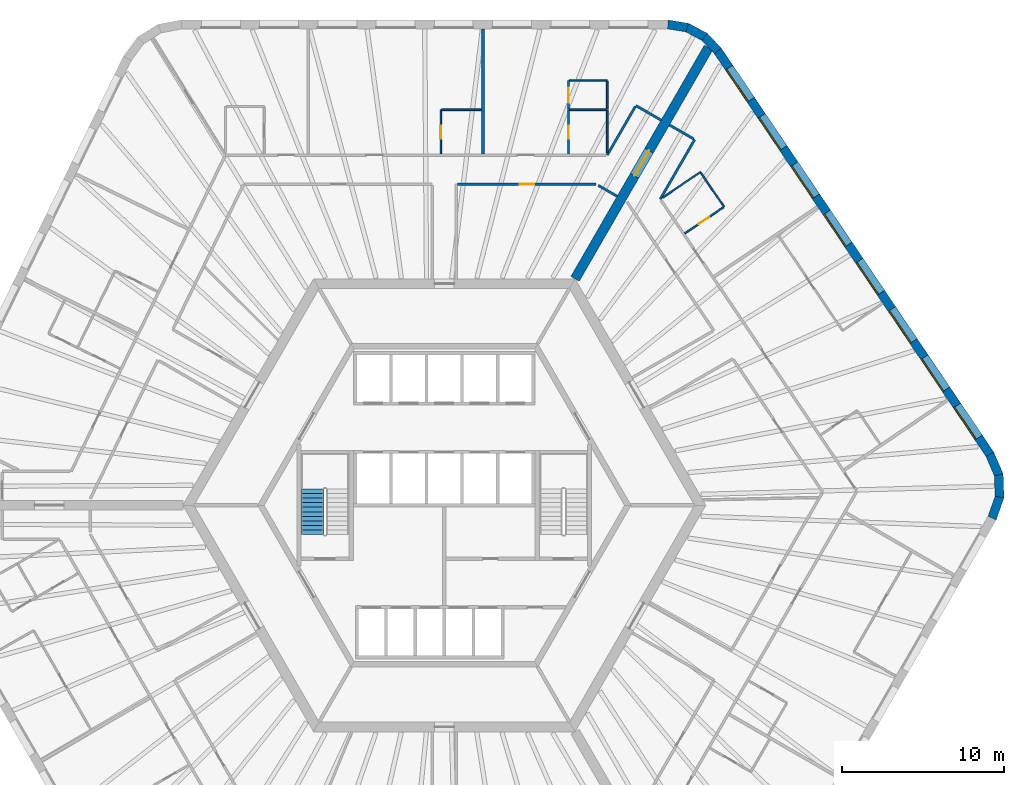
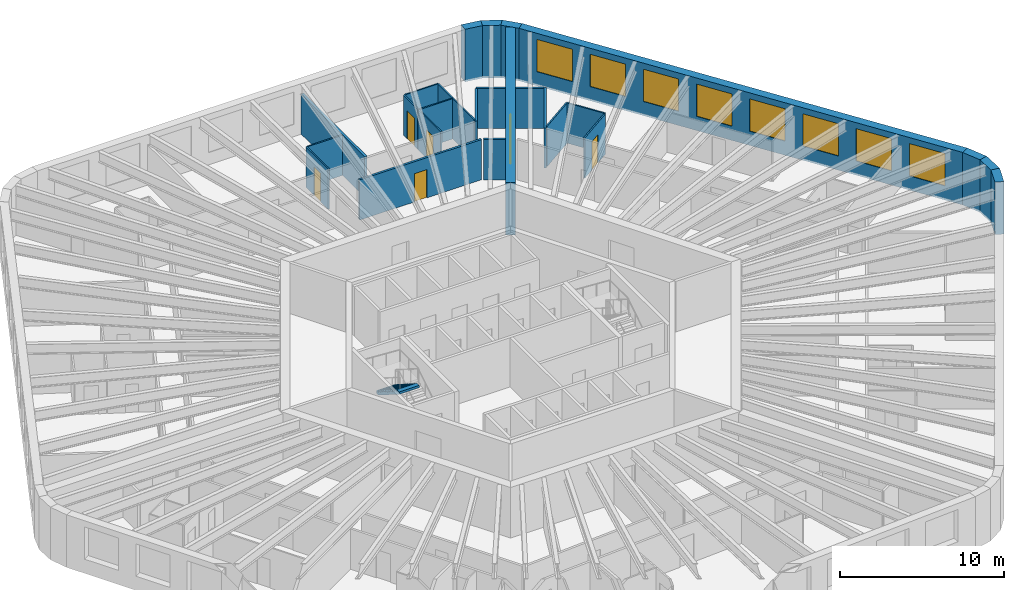
# One storey, part 10 of 12: 26 walls, 8 windows, 6 doors, 1 stair flight, 14 openings, 1 element without a shape of its own.
"""IFC4 building model written with IfcOpenShell, lengths in metres."""

from ifc_helpers import new_model, si_unit, direction, frame, frame_2d, origin, place, context, subcontext, project, spatial, polyline, rectangle, outline, extrude, material, layer, layer_set, type_object, element, fill, aggregate, save


model = new_model("IFC4")

# Units and contexts
model_context = context("Model", 3, precision=1e-05, world=origin(), true_north=direction((0.0, 1.0)))
body_context = subcontext(model_context, "Body", "Model", "MODEL_VIEW")
ifc_project = project(units=[si_unit("LENGTHUNIT", "METRE"), si_unit("AREAUNIT", "SQUARE_METRE"), si_unit("VOLUMEUNIT", "CUBIC_METRE"), si_unit("PLANEANGLEUNIT", "RADIAN"), si_unit("MASSUNIT", "GRAM", prefix="KILO")], contexts=[model_context])

# Site, building, storey
site_placement = place(None, origin())
site = spatial("IfcSite", under=ifc_project, at=site_placement, CompositionType="ELEMENT")
building_placement = place(site_placement, origin())
building = spatial("IfcBuilding", under=site, at=building_placement, Name="Tarnside Tower", CompositionType="ELEMENT")
storey_placement = place(building_placement, frame((0.0, 0.0, 84.300048828125)))
storey = spatial("IfcBuildingStorey", under=building, at=storey_placement, Name="L18", CompositionType="ELEMENT", Elevation=84.300048828125)

# Wall, opening, door
ifc_material_1 = material(Name="Gypsum board partition on steel studs", Category="steel")
ifc_layer_1 = layer(ifc_material_1, 0.10009765625)
ifc_layer_set_1 = layer_set([ifc_layer_1], Name="Bathroom wall 100")
wall_type_1 = type_object("IfcWallType", Name="Bathroom wall 100", PredefinedType="PARTITIONING", material=ifc_layer_set_1)
wall_1_placement = place(storey_placement, frame((7.6748046875, 21.72509765625, 0.0), z_axis=(0.0, 0.0, 1.0), x_axis=(0.0, 1.0, 0.0)))
wall_1 = element("IfcWall", 1, at=wall_1_placement, inside=storey, type_object=wall_type_1, Name="Bathroom wall 05079", PredefinedType="PARTITIONING", context=body_context, shape_type="SweptSolid", body=[
    extrude(rectangle(XDim=2.724853515625, YDim=0.10009765625, at=frame_2d((1.3623046875, 0.0))), origin(), (0.0, 0.0, 1.0), 2.98779296875),
])
opening_1_placement = place(wall_1_placement, frame((0.925048828125, 0.0, 0.0)))
opening_1 = element("IfcOpeningElement", 2, at=opening_1_placement, cuts=wall_1, Name="Opening D-B1", PredefinedType="OPENING", context=body_context, shape_type="SweptSolid", body=[
    extrude(rectangle(XDim=0.800048828125, YDim=2.10009765625, at=frame_2d((0.39990234375, 1.050048828125))), frame((0.0, 0.06005859375, 0.0), z_axis=(0.0, -1.0, 0.0), x_axis=(1.0, 0.0, 0.0)), (0.0, 0.0, 1.0), 0.1201171875),
])
ifc_material_2 = material(Name="Timber door leaf", Category="wood")
door_type_1 = type_object("IfcDoorType", Name="Bathroom door 800", OperationType="NOTDEFINED", PredefinedType="DOOR", material=ifc_material_2)
door_1_placement = place(opening_1_placement, origin())
door_1 = element("IfcDoor", 3, at=door_1_placement, inside=storey, type_object=door_type_1, Name="Bathroom door 05002", OperationType="SINGLE_SWING_RIGHT", OverallHeight=2.10009765625, OverallWidth=0.800048828125, PredefinedType="DOOR", context=body_context, shape_type="SweptSolid", body=[
    extrude(rectangle(XDim=0.800048828125, YDim=2.10009765625, at=frame_2d((0.39990234375, 1.050048828125))), frame((0.0, 0.02490234375, 0.0), z_axis=(0.0, -1.0, 0.0), x_axis=(1.0, 0.0, 0.0)), (0.0, 0.0, 1.0), 0.050048828125),
])
fill(opening_1, door_1)

# Walls
wall_2_placement = place(storey_placement, frame((10.07470703125, 24.449951171875, 0.0), z_axis=(0.0, 0.0, 1.0), x_axis=(0.0, -1.0, 0.0)))
element("IfcWall", 4, at=wall_2_placement, inside=storey, type_object=wall_type_1, Name="Bathroom wall 05080", PredefinedType="PARTITIONING", context=body_context, shape_type="SweptSolid", body=[
    extrude(rectangle(XDim=2.64990234375, YDim=0.10009765625, at=frame_2d((1.324951171875, 0.0))), origin(), (0.0, 0.0, 1.0), 2.98779296875),
])
wall_3_placement = place(storey_placement, frame((10.024658203125, 24.449951171875, 0.0), z_axis=(0.0, 0.0, 1.0), x_axis=(-1.0, 0.0, 0.0)))
element("IfcWall", 5, at=wall_3_placement, inside=storey, type_object=wall_type_1, Name="Bathroom wall 05086", PredefinedType="PARTITIONING", context=body_context, shape_type="SweptSolid", body=[
    extrude(rectangle(XDim=2.2998046875, YDim=0.10009765625, at=frame_2d((1.14990234375, 0.0))), origin(), (0.0, 0.0, 1.0), 2.98779296875),
])

# Wall, opening, door
wall_4_placement = place(storey_placement, frame((-0.2109375, 21.72509765625, 0.0), z_axis=(0.0, 0.0, 1.0), x_axis=(0.0, 1.0, 0.0)))
wall_4 = element("IfcWall", 6, at=wall_4_placement, inside=storey, type_object=wall_type_1, Name="Bathroom wall 05087", PredefinedType="PARTITIONING", context=body_context, shape_type="SweptSolid", body=[
    extrude(rectangle(XDim=2.724853515625, YDim=0.10009765625, at=frame_2d((1.3623046875, 0.0))), origin(), (0.0, 0.0, 1.0), 2.98779296875),
])
opening_2_placement = place(wall_4_placement, frame((0.925048828125, 0.0, 0.0)))
opening_2 = element("IfcOpeningElement", 7, at=opening_2_placement, cuts=wall_4, Name="Opening D-B1", PredefinedType="OPENING", context=body_context, shape_type="SweptSolid", body=[
    extrude(rectangle(XDim=0.800048828125, YDim=2.10009765625, at=frame_2d((0.39990234375, 1.050048828125))), frame((0.0, 0.06005859375, 0.0), z_axis=(0.0, -1.0, 0.0), x_axis=(1.0, 0.0, 0.0)), (0.0, 0.0, 1.0), 0.1201171875),
])
door_2_placement = place(opening_2_placement, origin())
door_2 = element("IfcDoor", 8, at=door_2_placement, inside=storey, type_object=door_type_1, Name="Bathroom door 05005", OperationType="SINGLE_SWING_RIGHT", OverallHeight=2.10009765625, OverallWidth=0.800048828125, PredefinedType="DOOR", context=body_context, shape_type="SweptSolid", body=[
    extrude(rectangle(XDim=0.800048828125, YDim=2.10009765625, at=frame_2d((0.39990234375, 1.050048828125))), frame((0.0, 0.02490234375, 0.0), z_axis=(0.0, -1.0, 0.0), x_axis=(1.0, 0.0, 0.0)), (0.0, 0.0, 1.0), 0.050048828125),
])
fill(opening_2, door_2)

# Walls
wall_5_placement = place(storey_placement, frame((-0.1611328125, 24.449951171875, 0.0), z_axis=(0.0, 0.0, 1.0), x_axis=(1.0, 0.0, 0.0)))
element("IfcWall", 9, at=wall_5_placement, inside=storey, type_object=wall_type_1, Name="Bathroom wall 05088", PredefinedType="PARTITIONING", context=body_context, shape_type="SweptSolid", body=[
    extrude(rectangle(XDim=2.4599609375, YDim=0.10009765625, at=frame_2d((1.22998046875, 0.0))), origin(), (0.0, 0.0, 1.0), 2.98779296875),
])
wall_6_placement = place(storey_placement, frame((13.4921875, 19.019287109375, 0.0), z_axis=(0.0, 0.0, 1.0), x_axis=(0.829037705426, 0.559192706481, 0.0)))
element("IfcWall", 10, at=wall_6_placement, inside=storey, type_object=wall_type_1, Name="Bathroom wall 05156", PredefinedType="PARTITIONING", context=body_context, shape_type="SweptSolid", body=[
    extrude(rectangle(XDim=2.8291015625, YDim=0.10009765625, at=frame_2d((1.41455078125, 0.0))), origin(), (0.0, 0.0, 1.0), 2.98779296875),
])
wall_7_placement = place(storey_placement, frame((15.865478515625, 20.559814453125, 0.0), z_axis=(0.0, 0.0, 1.0), x_axis=(0.559221247909, -0.829018453285, 0.0)))
element("IfcWall", 11, at=wall_7_placement, inside=storey, type_object=wall_type_1, Name="Bathroom wall 05157", PredefinedType="PARTITIONING", context=body_context, shape_type="SweptSolid", body=[
    extrude(rectangle(XDim=2.550048828125, YDim=0.10009765625, at=frame_2d((1.27490234375, 0.0))), origin(), (0.0, 0.0, 1.0), 2.98779296875),
])

# Wall, opening, door
wall_8_placement = place(storey_placement, frame((17.25, 18.417724609375, 0.0), z_axis=(0.0, 0.0, 1.0), x_axis=(-0.82904649496, -0.559179675234, 0.0)))
wall_8 = element("IfcWall", 12, at=wall_8_placement, inside=storey, type_object=wall_type_1, Name="Bathroom wall 05158", PredefinedType="PARTITIONING", context=body_context, shape_type="SweptSolid", body=[
    extrude(rectangle(XDim=2.875, YDim=0.10009765625, at=frame_2d((1.4375, 0.0))), origin(), (0.0, 0.0, 1.0), 2.98779296875),
])
opening_3_placement = place(wall_8_placement, frame((1.050048828125, 0.0, 0.0)))
opening_3 = element("IfcOpeningElement", 13, at=opening_3_placement, cuts=wall_8, Name="Opening D-B1", PredefinedType="OPENING", context=body_context, shape_type="SweptSolid", body=[
    extrude(rectangle(XDim=0.800048828125, YDim=2.10009765625, at=frame_2d((0.39990234375, 1.050048828125))), frame((0.0, 0.06005859375, 0.0), z_axis=(0.0, -1.0, 0.0), x_axis=(1.0, 0.0, 0.0)), (0.0, 0.0, 1.0), 0.1201171875),
])
door_3_placement = place(opening_3_placement, origin())
door_3 = element("IfcDoor", 14, at=door_3_placement, inside=storey, type_object=door_type_1, Name="Bathroom door 05040", OperationType="SINGLE_SWING_LEFT", OverallHeight=2.10009765625, OverallWidth=0.800048828125, PredefinedType="DOOR", context=body_context, shape_type="SweptSolid", body=[
    extrude(rectangle(XDim=0.800048828125, YDim=2.10009765625, at=frame_2d((0.39990234375, 1.050048828125))), frame((0.0, 0.02490234375, 0.0), z_axis=(0.0, -1.0, 0.0), x_axis=(1.0, 0.0, 0.0)), (0.0, 0.0, 1.0), 0.050048828125),
])
fill(opening_3, door_3)

ifc_material_3 = material(Name="Concrete C80/95", Category="concrete")
ifc_layer_2 = layer(ifc_material_3, 0.60009765625)
ifc_layer_set_2 = layer_set([ifc_layer_2], Name="Core wall Z1 600 C80/95")
wall_type_2 = type_object("IfcWallType", Name="Core wall Z1 600 C80/95", PredefinedType="SHEAR", material=ifc_layer_set_2)
wall_9_placement = place(storey_placement, frame((8.0830078125, 14.0, -0.150146484375), z_axis=(0.0, 0.0, 1.0), x_axis=(0.499997680643, 0.866026742862, 0.0)))
wall_9 = element("IfcWall", 15, at=wall_9_placement, inside=storey, type_object=wall_type_2, Name="L18 spine wall 1", PredefinedType="SHEAR", context=body_context, shape_type="SweptSolid", body=[
    extrude(rectangle(XDim=16.5087890625, YDim=0.60009765625, at=frame_2d((8.25439453125, 0.0))), origin(), (0.0, 0.0, 1.0), 3.900146484375),
])
opening_4_placement = place(wall_9_placement, frame((7.3544921875, 0.0, 0.14990234375)))
opening_4 = element("IfcOpeningElement", 16, at=opening_4_placement, cuts=wall_9, Name="Opening CD-SPN", PredefinedType="OPENING", context=body_context, shape_type="SweptSolid", body=[
    extrude(rectangle(XDim=1.800048828125, YDim=2.39990234375, at=frame_2d((0.89990234375, 1.199951171875))), frame((0.0, 0.31005859375, 0.0), z_axis=(0.0, -1.0, 0.0), x_axis=(1.0, 0.0, 0.0)), (0.0, 0.0, 1.0), 0.6201171875),
])
ifc_material_4 = material(Name="Steel fire door", Category="steel")
door_type_2 = type_object("IfcDoorType", Name="Spine passage double door FD60 1800x2400", OperationType="NOTDEFINED", PredefinedType="DOOR", material=ifc_material_4)
door_4_placement = place(opening_4_placement, origin())
door_4 = element("IfcDoor", 17, at=door_4_placement, inside=storey, type_object=door_type_2, Name="L18 spine passage door 1", OperationType="DOUBLE_DOOR_SINGLE_SWING", OverallHeight=2.39990234375, OverallWidth=1.800048828125, PredefinedType="DOOR", context=body_context, shape_type="SweptSolid", body=[
    extrude(rectangle(XDim=1.800048828125, YDim=2.39990234375, at=frame_2d((0.89990234375, 1.199951171875))), frame((0.0, 0.02490234375, 0.0), z_axis=(0.0, -1.0, 0.0), x_axis=(1.0, 0.0, 0.0)), (0.0, 0.0, 1.0), 0.050048828125),
])
fill(opening_4, door_4)

# Walls
ifc_layer_3 = layer(ifc_material_1, 0.14990234375)
ifc_layer_set_3 = layer_set([ifc_layer_3], Name="Corridor wall 150 EI 60")
wall_type_3 = type_object("IfcWallType", Name="Corridor wall 150 EI 60", PredefinedType="PARTITIONING", material=ifc_layer_set_3)
wall_10_placement = place(storey_placement, frame((13.400390625, 23.81005859375, 0.0), z_axis=(0.0, 0.0, 1.0), x_axis=(-0.865989075817, 0.500062916607, 0.0)))
element("IfcWall", 18, at=wall_10_placement, inside=storey, type_object=wall_type_3, Name="Corridor wall 05002", PredefinedType="PARTITIONING", context=body_context, shape_type="SweptSolid", body=[
    extrude(rectangle(XDim=1.800048828125, YDim=0.14990234375, at=frame_2d((0.89990234375, 0.0))), origin(), (0.0, 0.0, 1.0), 2.98779296875),
])
wall_11_placement = place(storey_placement, frame((11.803955078125, 24.64501953125, 0.0), z_axis=(0.0, 0.0, 1.0), x_axis=(-0.500003541824, -0.866023358902, 0.0)))
element("IfcWall", 19, at=wall_11_placement, inside=storey, type_object=wall_type_3, Name="Corridor wall 05003", PredefinedType="PARTITIONING", context=body_context, shape_type="SweptSolid", body=[
    extrude(rectangle(XDim=3.45849609375, YDim=0.14990234375, at=frame_2d((1.729248046875, 0.0))), origin(), (0.0, 0.0, 1.0), 2.98779296875),
])

# Wall, opening, door
wall_12_placement = place(storey_placement, frame((0.824951171875, 19.85009765625, 0.0), z_axis=(0.0, 0.0, 1.0), x_axis=(1.0, 0.0, 0.0)))
wall_12 = element("IfcWall", 20, at=wall_12_placement, inside=storey, type_object=wall_type_3, Name="Corridor wall 05023", PredefinedType="PARTITIONING", context=body_context, shape_type="SweptSolid", body=[
    extrude(rectangle(XDim=8.564208984375, YDim=0.14990234375, at=frame_2d((4.2822265625, 0.0))), origin(), (0.0, 0.0, 1.0), 2.98779296875),
])
opening_5_placement = place(wall_12_placement, frame((3.83203125, 0.0, 0.0)))
opening_5 = element("IfcOpeningElement", 21, at=opening_5_placement, cuts=wall_12, Name="Opening D-S1", PredefinedType="OPENING", context=body_context, shape_type="SweptSolid", body=[
    extrude(rectangle(XDim=0.89990234375, YDim=2.10009765625, at=frame_2d((0.449951171875, 1.050048828125))), frame((0.0, 0.0849609375, 0.0), z_axis=(0.0, -1.0, 0.0), x_axis=(1.0, 0.0, 0.0)), (0.0, 0.0, 1.0), 0.169921875),
])
door_type_3 = type_object("IfcDoorType", Name="Service room door 900 FD30S", OperationType="NOTDEFINED", PredefinedType="DOOR", material=ifc_material_2)
door_5_placement = place(opening_5_placement, origin())
door_5 = element("IfcDoor", 22, at=door_5_placement, inside=storey, type_object=door_type_3, Name="Service door 05043", OperationType="SINGLE_SWING_RIGHT", OverallHeight=2.10009765625, OverallWidth=0.89990234375, PredefinedType="DOOR", context=body_context, shape_type="SweptSolid", body=[
    extrude(rectangle(XDim=0.89990234375, YDim=2.10009765625, at=frame_2d((0.449951171875, 1.050048828125))), frame((0.0, 0.02490234375, 0.0), z_axis=(0.0, -1.0, 0.0), x_axis=(1.0, 0.0, 0.0)), (0.0, 0.0, 1.0), 0.050048828125),
])
fill(opening_5, door_5)

# Walls
wall_13_placement = place(storey_placement, frame((9.51904296875, 19.77490234375, 0.0), z_axis=(0.0, 0.0, 1.0), x_axis=(0.866043397086, -0.499968833392, 0.0)))
element("IfcWall", 23, at=wall_13_placement, inside=storey, type_object=wall_type_3, Name="Corridor wall 05024", PredefinedType="PARTITIONING", context=body_context, shape_type="SweptSolid", body=[
    extrude(rectangle(XDim=1.34375, YDim=0.14990234375, at=frame_2d((0.671875, 0.0))), origin(), (0.0, 0.0, 1.0), 2.98779296875),
])
wall_14_placement = place(storey_placement, frame((13.350341796875, 18.923583984375, 0.0), z_axis=(0.0, 0.0, 1.0), x_axis=(0.500000470374, 0.866025132214, 0.0)))
element("IfcWall", 24, at=wall_14_placement, inside=storey, type_object=wall_type_3, Name="Corridor wall 05065", PredefinedType="PARTITIONING", context=body_context, shape_type="SweptSolid", body=[
    extrude(rectangle(XDim=4.2568359375, YDim=0.14990234375, at=frame_2d((2.12841796875, 0.0))), origin(), (0.0, 0.0, 1.0), 2.98779296875),
])
wall_15_placement = place(storey_placement, frame((15.413818359375, 22.647705078125, 0.0), z_axis=(0.0, 0.0, 1.0), x_axis=(-0.866074815912, 0.499914405916, 0.0)))
element("IfcWall", 25, at=wall_15_placement, inside=storey, type_object=wall_type_3, Name="Corridor wall 05066", PredefinedType="PARTITIONING", context=body_context, shape_type="SweptSolid", body=[
    extrude(rectangle(XDim=1.724853515625, YDim=0.14990234375, at=frame_2d((0.8623046875, 0.0))), origin(), (0.0, 0.0, 1.0), 2.98779296875),
])
ifc_layer_4 = layer(ifc_material_1, 0.179931640625)
ifc_layer_set_4 = layer_set([ifc_layer_4], Name="Demising wall 180 EI 60")
wall_type_4 = type_object("IfcWallType", Name="Demising wall 180 EI 60", PredefinedType="PARTITIONING", material=ifc_layer_set_4)
wall_16_placement = place(storey_placement, frame((2.388916015625, 29.449951171875, 0.0), z_axis=(0.0, 0.0, 1.0), x_axis=(0.0, -1.0, 0.0)))
element("IfcWall", 26, at=wall_16_placement, inside=storey, type_object=wall_type_4, Name="Demising wall 05084", PredefinedType="PARTITIONING", context=body_context, shape_type="SweptSolid", body=[
    extrude(rectangle(XDim=7.724853515625, YDim=0.179931640625, at=frame_2d((3.8623046875, 0.0))), origin(), (0.0, 0.0, 1.0), 2.98779296875),
])

# Wall, opening, door
ifc_layer_5 = layer(ifc_material_1, 0.10009765625)
ifc_layer_set_5 = layer_set([ifc_layer_5], Name="Partition 100")
wall_type_5 = type_object("IfcWallType", Name="Partition 100", PredefinedType="PARTITIONING", material=ifc_layer_set_5)
wall_17_placement = place(storey_placement, frame((7.6748046875, 24.5, 0.0), z_axis=(0.0, 0.0, 1.0), x_axis=(0.0, 1.0, 0.0)))
wall_17 = element("IfcWall", 27, at=wall_17_placement, inside=storey, type_object=wall_type_5, Name="Partition wall 05081", PredefinedType="PARTITIONING", context=body_context, shape_type="SweptSolid", body=[
    extrude(rectangle(XDim=1.75, YDim=0.10009765625, at=frame_2d((0.875, 0.0))), origin(), (0.0, 0.0, 1.0), 2.98779296875),
])
opening_6_placement = place(wall_17_placement, frame((0.39990234375, 0.0, 0.0)))
opening_6 = element("IfcOpeningElement", 28, at=opening_6_placement, cuts=wall_17, Name="Opening D-I1", PredefinedType="OPENING", context=body_context, shape_type="SweptSolid", body=[
    extrude(rectangle(XDim=0.89990234375, YDim=2.10009765625, at=frame_2d((0.449951171875, 1.050048828125))), frame((0.0, 0.06005859375, 0.0), z_axis=(0.0, -1.0, 0.0), x_axis=(1.0, 0.0, 0.0)), (0.0, 0.0, 1.0), 0.1201171875),
])
door_type_4 = type_object("IfcDoorType", Name="Internal door 900", OperationType="NOTDEFINED", PredefinedType="DOOR", material=ifc_material_2)
door_6_placement = place(opening_6_placement, origin())
door_6 = element("IfcDoor", 29, at=door_6_placement, inside=storey, type_object=door_type_4, Name="Internal door 05003", OperationType="SINGLE_SWING_RIGHT", OverallHeight=2.10009765625, OverallWidth=0.89990234375, PredefinedType="DOOR", context=body_context, shape_type="SweptSolid", body=[
    extrude(rectangle(XDim=0.89990234375, YDim=2.10009765625, at=frame_2d((0.449951171875, 1.050048828125))), frame((0.0, 0.02490234375, 0.0), z_axis=(0.0, -1.0, 0.0), x_axis=(1.0, 0.0, 0.0)), (0.0, 0.0, 1.0), 0.050048828125),
])
fill(opening_6, door_6)

# Walls
wall_18_placement = place(storey_placement, frame((7.724853515625, 26.25, 0.0), z_axis=(0.0, 0.0, 1.0), x_axis=(1.0, 0.0, 0.0)))
element("IfcWall", 30, at=wall_18_placement, inside=storey, type_object=wall_type_5, Name="Partition wall 05082", PredefinedType="PARTITIONING", context=body_context, shape_type="SweptSolid", body=[
    extrude(rectangle(XDim=2.349853515625, YDim=0.10009765625, at=frame_2d((1.1748046875, 0.0))), origin(), (0.0, 0.0, 1.0), 2.98779296875),
])
wall_19_placement = place(storey_placement, frame((10.07470703125, 26.199951171875, 0.0), z_axis=(0.0, 0.0, 1.0), x_axis=(0.0, -1.0, 0.0)))
element("IfcWall", 31, at=wall_19_placement, inside=storey, type_object=wall_type_5, Name="Partition wall 05083", PredefinedType="PARTITIONING", context=body_context, shape_type="SweptSolid", body=[
    extrude(rectangle(XDim=1.699951171875, YDim=0.10009765625, at=frame_2d((0.85009765625, 0.0))), origin(), (0.0, 0.0, 1.0), 2.98779296875),
])
ifc_material_5 = material(Name="Facing brick", Category="masonry")
ifc_layer_6 = layer(ifc_material_5, 0.10205078125)
ifc_material_6 = material(Name="Concrete C60/75 precast", Category="concrete")
ifc_layer_7 = layer(ifc_material_6, 0.347900390625)
ifc_material_7 = material(Name="Mineral wool insulation")
ifc_layer_8 = layer(ifc_material_7, 0.10009765625)
ifc_layer_set_6 = layer_set([ifc_layer_6, ifc_layer_7, ifc_layer_8], Name="Tube wall 550 brick faced")
wall_type_6 = type_object("IfcWallType", Name="Tube wall 550 brick faced", PredefinedType="SOLIDWALL", material=ifc_layer_set_6)
wall_20_placement = place(storey_placement, frame((33.865966796875, -0.79248046875, -0.150146484375), z_axis=(0.0, 0.0, 1.0), x_axis=(0.33111537203, 0.943590276765, 0.0)))
element("IfcWall", 32, at=wall_20_placement, inside=storey, type_object=wall_type_6, Name="Tube wall L18 F5 chord 17", PredefinedType="SOLIDWALL", context=body_context, shape_type="SweptSolid", body=[
    extrude(outline(polyline([(-0.025634765625, -0.27490234375), (1.4306640625, -0.27490234375), (1.3271484375, 0.27490234375), (0.025634765625, 0.27490234375), (-0.025634765625, -0.27490234375)])), origin(), (0.0, 0.0, 1.0), 3.900146484375),
])
wall_21_placement = place(storey_placement, frame((34.322509765625, 0.508544921875, -0.150146484375), z_axis=(0.0, 0.0, 1.0), x_axis=(-0.034876908462, 0.999391615562, 0.0)))
element("IfcWall", 33, at=wall_21_placement, inside=storey, type_object=wall_type_6, Name="Tube wall L18 F5 chord 18", PredefinedType="SOLIDWALL", context=body_context, shape_type="SweptSolid", body=[
    extrude(outline(polyline([(-0.0517578125, -0.27490234375), (1.4306640625, -0.27490234375), (1.3271484375, 0.27490234375), (0.0517578125, 0.27490234375), (-0.0517578125, -0.27490234375)])), origin(), (0.0, 0.0, 1.0), 3.900146484375),
])
wall_22_placement = place(storey_placement, frame((34.2744140625, 1.88671875, -0.150146484375), z_axis=(0.0, 0.0, 1.0), x_axis=(-0.396161342798, 0.918180913803, 0.0)))
element("IfcWall", 34, at=wall_22_placement, inside=storey, type_object=wall_type_6, Name="Tube wall L18 F5 chord 19", PredefinedType="SOLIDWALL", context=body_context, shape_type="SweptSolid", body=[
    extrude(outline(polyline([(-0.0517578125, -0.27490234375), (1.40478515625, -0.27490234375), (1.353515625, 0.27490234375), (0.0517578125, 0.27490234375), (-0.0517578125, -0.27490234375)])), origin(), (0.0, 0.0, 1.0), 3.900146484375),
])

# Wall, openings, windows
wall_23_placement = place(storey_placement, frame((33.72802734375, 3.153076171875, -0.150146484375), z_axis=(0.0, 0.0, 1.0), x_axis=(-0.559192411416, 0.82903790445, 0.0)))
wall_23 = element("IfcWall", 35, at=wall_23_placement, inside=storey, type_object=wall_type_6, Name="Tube wall L18 F6 flush 20", PredefinedType="SOLIDWALL", context=body_context, shape_type="SweptSolid", body=[
    extrude(outline(polyline([(-0.025634765625, -0.27490234375), (30.09326171875, -0.27490234375), (30.04833984375, 0.27490234375), (0.025634765625, 0.27490234375), (-0.025634765625, -0.27490234375)])), origin(), (0.0, 0.0, 1.0), 3.900146484375),
])
opening_7_placement = place(wall_23_placement, frame((1.235595703125, 0.0, 1.050048828125)))
opening_7 = element("IfcOpeningElement", 36, at=opening_7_placement, cuts=wall_23, Name="Opening WH", PredefinedType="OPENING", context=body_context, shape_type="SweptSolid", body=[
    extrude(rectangle(XDim=2.39990234375, YDim=2.39990234375, at=frame_2d((1.199951171875, 1.199951171875))), frame((0.0, 0.28515625, 0.0), z_axis=(0.0, -1.0, 0.0), x_axis=(1.0, 0.0, 0.0)), (0.0, 0.0, 1.0), 0.570068359375),
])
opening_8_placement = place(wall_23_placement, frame((4.83544921875, 0.0, 1.050048828125)))
opening_8 = element("IfcOpeningElement", 37, at=opening_8_placement, cuts=wall_23, Name="Opening WH", PredefinedType="OPENING", context=body_context, shape_type="SweptSolid", body=[
    extrude(rectangle(XDim=2.39990234375, YDim=2.39990234375, at=frame_2d((1.199951171875, 1.199951171875))), frame((0.0, 0.28515625, 0.0), z_axis=(0.0, -1.0, 0.0), x_axis=(1.0, 0.0, 0.0)), (0.0, 0.0, 1.0), 0.570068359375),
])
opening_9_placement = place(wall_23_placement, frame((8.435546875, 0.0, 1.050048828125)))
opening_9 = element("IfcOpeningElement", 38, at=opening_9_placement, cuts=wall_23, Name="Opening WH", PredefinedType="OPENING", context=body_context, shape_type="SweptSolid", body=[
    extrude(rectangle(XDim=2.39990234375, YDim=2.39990234375, at=frame_2d((1.199951171875, 1.199951171875))), frame((0.0, 0.28515625, 0.0), z_axis=(0.0, -1.0, 0.0), x_axis=(1.0, 0.0, 0.0)), (0.0, 0.0, 1.0), 0.570068359375),
])
opening_10_placement = place(wall_23_placement, frame((12.035400390625, 0.0, 1.050048828125)))
opening_10 = element("IfcOpeningElement", 39, at=opening_10_placement, cuts=wall_23, Name="Opening WH", PredefinedType="OPENING", context=body_context, shape_type="SweptSolid", body=[
    extrude(rectangle(XDim=2.39990234375, YDim=2.39990234375, at=frame_2d((1.199951171875, 1.199951171875))), frame((0.0, 0.28515625, 0.0), z_axis=(0.0, -1.0, 0.0), x_axis=(1.0, 0.0, 0.0)), (0.0, 0.0, 1.0), 0.570068359375),
])
opening_11_placement = place(wall_23_placement, frame((15.635498046875, 0.0, 1.050048828125)))
opening_11 = element("IfcOpeningElement", 40, at=opening_11_placement, cuts=wall_23, Name="Opening WH", PredefinedType="OPENING", context=body_context, shape_type="SweptSolid", body=[
    extrude(rectangle(XDim=2.39990234375, YDim=2.39990234375, at=frame_2d((1.199951171875, 1.199951171875))), frame((0.0, 0.28515625, 0.0), z_axis=(0.0, -1.0, 0.0), x_axis=(1.0, 0.0, 0.0)), (0.0, 0.0, 1.0), 0.570068359375),
])
opening_12_placement = place(wall_23_placement, frame((19.235595703125, 0.0, 1.050048828125)))
opening_12 = element("IfcOpeningElement", 41, at=opening_12_placement, cuts=wall_23, Name="Opening WH", PredefinedType="OPENING", context=body_context, shape_type="SweptSolid", body=[
    extrude(rectangle(XDim=2.39990234375, YDim=2.39990234375, at=frame_2d((1.199951171875, 1.199951171875))), frame((0.0, 0.28515625, 0.0), z_axis=(0.0, -1.0, 0.0), x_axis=(1.0, 0.0, 0.0)), (0.0, 0.0, 1.0), 0.570068359375),
])
opening_13_placement = place(wall_23_placement, frame((22.83544921875, 0.0, 1.050048828125)))
opening_13 = element("IfcOpeningElement", 42, at=opening_13_placement, cuts=wall_23, Name="Opening WH", PredefinedType="OPENING", context=body_context, shape_type="SweptSolid", body=[
    extrude(rectangle(XDim=2.39990234375, YDim=2.39990234375, at=frame_2d((1.199951171875, 1.199951171875))), frame((0.0, 0.28515625, 0.0), z_axis=(0.0, -1.0, 0.0), x_axis=(1.0, 0.0, 0.0)), (0.0, 0.0, 1.0), 0.570068359375),
])
opening_14_placement = place(wall_23_placement, frame((26.435546875, 0.0, 1.050048828125)))
opening_14 = element("IfcOpeningElement", 43, at=opening_14_placement, cuts=wall_23, Name="Opening WH", PredefinedType="OPENING", context=body_context, shape_type="SweptSolid", body=[
    extrude(rectangle(XDim=2.39990234375, YDim=2.39990234375, at=frame_2d((1.199951171875, 1.199951171875))), frame((0.0, 0.28515625, 0.0), z_axis=(0.0, -1.0, 0.0), x_axis=(1.0, 0.0, 0.0)), (0.0, 0.0, 1.0), 0.570068359375),
])
ifc_material_8 = material(Name="Aluminium-framed double glazing", Category="aluminium")
window_type = type_object("IfcWindowType", Name="Hotel window 2400 x 2400", PartitioningType="DOUBLE_PANEL_VERTICAL", PredefinedType="WINDOW", material=ifc_material_8)
window_1_placement = place(opening_7_placement, frame((0.0, 0.205078125, 0.0)))
window_1 = element("IfcWindow", 44, at=window_1_placement, inside=storey, type_object=window_type, Name="E.WN.L18.F6.00", OverallHeight=2.39990234375, OverallWidth=2.39990234375, PartitioningType="DOUBLE_PANEL_VERTICAL", PredefinedType="WINDOW", context=body_context, shape_type="SweptSolid", body=[
    extrude(rectangle(XDim=2.39990234375, YDim=2.39990234375, at=frame_2d((1.199951171875, 1.199951171875))), frame((0.0, 0.030029296875, 0.0), z_axis=(0.0, -1.0, 0.0), x_axis=(1.0, 0.0, 0.0)), (0.0, 0.0, 1.0), 0.06005859375),
])
fill(opening_7, window_1)
window_2_placement = place(opening_8_placement, frame((0.0, 0.205078125, 0.0)))
window_2 = element("IfcWindow", 45, at=window_2_placement, inside=storey, type_object=window_type, Name="E.WN.L18.F6.01", OverallHeight=2.39990234375, OverallWidth=2.39990234375, PartitioningType="DOUBLE_PANEL_VERTICAL", PredefinedType="WINDOW", context=body_context, shape_type="SweptSolid", body=[
    extrude(rectangle(XDim=2.39990234375, YDim=2.39990234375, at=frame_2d((1.199951171875, 1.199951171875))), frame((0.0, 0.030029296875, 0.0), z_axis=(0.0, -1.0, 0.0), x_axis=(1.0, 0.0, 0.0)), (0.0, 0.0, 1.0), 0.06005859375),
])
fill(opening_8, window_2)
window_3_placement = place(opening_9_placement, frame((0.0, 0.205078125, 0.0)))
window_3 = element("IfcWindow", 46, at=window_3_placement, inside=storey, type_object=window_type, Name="E.WN.L18.F6.02", OverallHeight=2.39990234375, OverallWidth=2.39990234375, PartitioningType="DOUBLE_PANEL_VERTICAL", PredefinedType="WINDOW", context=body_context, shape_type="SweptSolid", body=[
    extrude(rectangle(XDim=2.39990234375, YDim=2.39990234375, at=frame_2d((1.199951171875, 1.199951171875))), frame((0.0, 0.030029296875, 0.0), z_axis=(0.0, -1.0, 0.0), x_axis=(1.0, 0.0, 0.0)), (0.0, 0.0, 1.0), 0.06005859375),
])
fill(opening_9, window_3)
window_4_placement = place(opening_10_placement, frame((0.0, 0.205078125, 0.0)))
window_4 = element("IfcWindow", 47, at=window_4_placement, inside=storey, type_object=window_type, Name="E.WN.L18.F6.03", OverallHeight=2.39990234375, OverallWidth=2.39990234375, PartitioningType="DOUBLE_PANEL_VERTICAL", PredefinedType="WINDOW", context=body_context, shape_type="SweptSolid", body=[
    extrude(rectangle(XDim=2.39990234375, YDim=2.39990234375, at=frame_2d((1.199951171875, 1.199951171875))), frame((0.0, 0.030029296875, 0.0), z_axis=(0.0, -1.0, 0.0), x_axis=(1.0, 0.0, 0.0)), (0.0, 0.0, 1.0), 0.06005859375),
])
fill(opening_10, window_4)
window_5_placement = place(opening_11_placement, frame((0.0, 0.205078125, 0.0)))
window_5 = element("IfcWindow", 48, at=window_5_placement, inside=storey, type_object=window_type, Name="E.WN.L18.F6.04", OverallHeight=2.39990234375, OverallWidth=2.39990234375, PartitioningType="DOUBLE_PANEL_VERTICAL", PredefinedType="WINDOW", context=body_context, shape_type="SweptSolid", body=[
    extrude(rectangle(XDim=2.39990234375, YDim=2.39990234375, at=frame_2d((1.199951171875, 1.199951171875))), frame((0.0, 0.030029296875, 0.0), z_axis=(0.0, -1.0, 0.0), x_axis=(1.0, 0.0, 0.0)), (0.0, 0.0, 1.0), 0.06005859375),
])
fill(opening_11, window_5)
window_6_placement = place(opening_12_placement, frame((0.0, 0.205078125, 0.0)))
window_6 = element("IfcWindow", 49, at=window_6_placement, inside=storey, type_object=window_type, Name="E.WN.L18.F6.05", OverallHeight=2.39990234375, OverallWidth=2.39990234375, PartitioningType="DOUBLE_PANEL_VERTICAL", PredefinedType="WINDOW", context=body_context, shape_type="SweptSolid", body=[
    extrude(rectangle(XDim=2.39990234375, YDim=2.39990234375, at=frame_2d((1.199951171875, 1.199951171875))), frame((0.0, 0.030029296875, 0.0), z_axis=(0.0, -1.0, 0.0), x_axis=(1.0, 0.0, 0.0)), (0.0, 0.0, 1.0), 0.06005859375),
])
fill(opening_12, window_6)
window_7_placement = place(opening_13_placement, frame((0.0, 0.205078125, 0.0)))
window_7 = element("IfcWindow", 50, at=window_7_placement, inside=storey, type_object=window_type, Name="E.WN.L18.F6.06", OverallHeight=2.39990234375, OverallWidth=2.39990234375, PartitioningType="DOUBLE_PANEL_VERTICAL", PredefinedType="WINDOW", context=body_context, shape_type="SweptSolid", body=[
    extrude(rectangle(XDim=2.39990234375, YDim=2.39990234375, at=frame_2d((1.199951171875, 1.199951171875))), frame((0.0, 0.030029296875, 0.0), z_axis=(0.0, -1.0, 0.0), x_axis=(1.0, 0.0, 0.0)), (0.0, 0.0, 1.0), 0.06005859375),
])
fill(opening_13, window_7)
window_8_placement = place(opening_14_placement, frame((0.0, 0.205078125, 0.0)))
window_8 = element("IfcWindow", 51, at=window_8_placement, inside=storey, type_object=window_type, Name="E.WN.L18.F6.07", OverallHeight=2.39990234375, OverallWidth=2.39990234375, PartitioningType="DOUBLE_PANEL_VERTICAL", PredefinedType="WINDOW", context=body_context, shape_type="SweptSolid", body=[
    extrude(rectangle(XDim=2.39990234375, YDim=2.39990234375, at=frame_2d((1.199951171875, 1.199951171875))), frame((0.0, 0.030029296875, 0.0), z_axis=(0.0, -1.0, 0.0), x_axis=(1.0, 0.0, 0.0)), (0.0, 0.0, 1.0), 0.06005859375),
])
fill(opening_14, window_8)

# Walls
wall_24_placement = place(storey_placement, frame((16.91259765625, 28.0830078125, -0.150146484375), z_axis=(0.0, 0.0, 1.0), x_axis=(-0.686196220404, 0.727416488061, 0.0)))
element("IfcWall", 52, at=wall_24_placement, inside=storey, type_object=wall_type_6, Name="Tube wall L18 F6 chord 21", PredefinedType="SOLIDWALL", context=body_context, shape_type="SweptSolid", body=[
    extrude(outline(polyline([(-0.0224609375, -0.27490234375), (1.25341796875, -0.27490234375), (1.1630859375, 0.27490234375), (0.0224609375, 0.27490234375), (-0.0224609375, -0.27490234375)])), origin(), (0.0, 0.0, 1.0), 3.900146484375),
])
wall_25_placement = place(storey_placement, frame((16.08349609375, 28.9619140625, -0.150146484375), z_axis=(0.0, 0.0, 1.0), x_axis=(-0.882995347911, 0.469381737574, 0.0)))
element("IfcWall", 53, at=wall_25_placement, inside=storey, type_object=wall_type_6, Name="Tube wall L18 F6 chord 22", PredefinedType="SOLIDWALL", context=body_context, shape_type="SweptSolid", body=[
    extrude(outline(polyline([(-0.045166015625, -0.27490234375), (1.25341796875, -0.27490234375), (1.1630859375, 0.27490234375), (0.045166015625, 0.27490234375), (-0.045166015625, -0.27490234375)])), origin(), (0.0, 0.0, 1.0), 3.900146484375),
])
wall_26_placement = place(storey_placement, frame((15.0166015625, 29.529052734375, -0.150146484375), z_axis=(0.0, 0.0, 1.0), x_axis=(-0.986746625868, 0.162268593195, 0.0)))
element("IfcWall", 54, at=wall_26_placement, inside=storey, type_object=wall_type_6, Name="Tube wall L18 F6 chord 23", PredefinedType="SOLIDWALL", context=body_context, shape_type="SweptSolid", body=[
    extrude(outline(polyline([(-0.045166015625, -0.27490234375), (1.230712890625, -0.27490234375), (1.185791015625, 0.27490234375), (0.045166015625, 0.27490234375), (-0.045166015625, -0.27490234375)])), origin(), (0.0, 0.0, 1.0), 3.900146484375),
])

# Stair, stair flight
ifc_material_9 = material(Name="Concrete C40/50", Category="concrete")
stair_type = type_object("IfcStairType", Name="Exit stair 1400 clear", PredefinedType="HALF_TURN_STAIR", material=ifc_material_9)
stair_placement = place(storey_placement, origin())
stair = element("IfcStair", 55, at=stair_placement, inside=storey, type_object=stair_type, Name="L18 Exit stair 2", PredefinedType="HALF_TURN_STAIR")
stair_flight_type = type_object("IfcStairFlightType", Name="Exit stair flight 1400", PredefinedType="STRAIGHT", material=ifc_material_9)
stair_flight_placement = place(storey_placement, frame((-8.14990234375, 1.0, 1.949951171875), z_axis=(0.0, 0.0, 1.0), x_axis=(0.0, -1.0, 0.0)))
stair_flight = element("IfcStairFlight", 56, at=stair_flight_placement, type_object=stair_flight_type, Name="ST2 flight 2", NumberOfRisers=11, NumberOfTreads=10, PredefinedType="STRAIGHT", RiserHeight=0.177272727, TreadLength=0.28, context=body_context, shape_type="SweptSolid", body=[
    extrude(outline(polyline([(0.0, 0.0), (0.0, 0.17724609375), (0.280029296875, 0.17724609375), (0.280029296875, 0.3544921875), (0.56005859375, 0.3544921875), (0.56005859375, 0.53173828125), (0.840087890625, 0.53173828125), (0.840087890625, 0.708984375), (1.1201171875, 0.708984375), (1.1201171875, 0.886474609375), (1.39990234375, 0.886474609375), (1.39990234375, 1.063720703125), (1.679931640625, 1.063720703125), (1.679931640625, 1.240966796875), (1.9599609375, 1.240966796875), (1.9599609375, 1.418212890625), (2.239990234375, 1.418212890625), (2.239990234375, 1.595458984375), (2.52001953125, 1.595458984375), (2.52001953125, 1.772705078125), (2.800048828125, 1.772705078125), (2.800048828125, 1.949951171875), (2.800048828125, 1.59521484375), (0.2802734375, 0.0), (0.0, 0.0)])), frame((0.0, 0.699951171875, 0.0), z_axis=(0.0, -1.0, 0.0), x_axis=(1.0, 0.0, 0.0)), (0.0, 0.0, 1.0), 1.39990234375),
])
aggregate(stair, [stair_flight])

save(model, "model.ifc")
